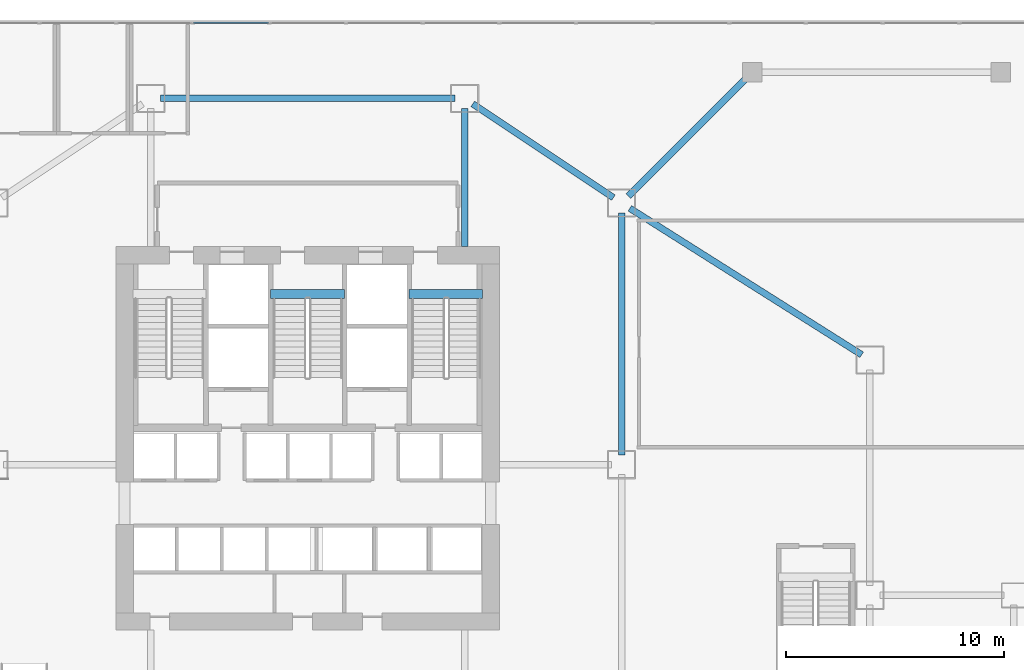
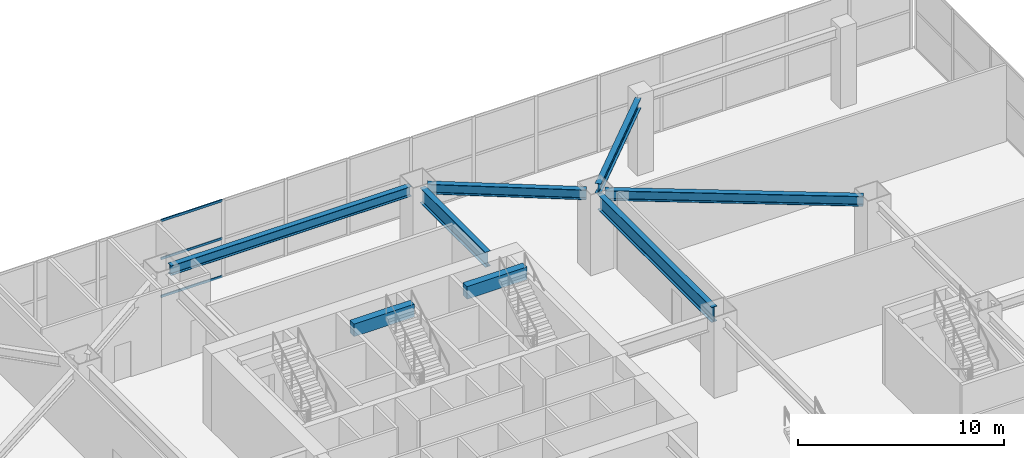
# One storey, part 14 of 31: 8 beams, 3 members, 1 element without a shape of its own.
"""IFC4 building model written with IfcOpenShell, lengths in metres."""

from ifc_helpers import new_model, si_unit, direction, frame, origin, origin_2d, place, context, subcontext, project, spatial, rectangle, hollow_rectangle, i_section, extrude, material, layer, layer_set, material_profile, profile_set, type_object, element, aggregate, save


model = new_model("IFC4")

# Units and contexts
model_context = context("Model", 3, precision=1e-05, world=origin(), true_north=direction((0.0, 1.0)))
body_context = subcontext(model_context, "Body", "Model", "MODEL_VIEW")
ifc_project = project(units=[si_unit("LENGTHUNIT", "METRE"), si_unit("AREAUNIT", "SQUARE_METRE"), si_unit("VOLUMEUNIT", "CUBIC_METRE"), si_unit("PLANEANGLEUNIT", "RADIAN"), si_unit("MASSUNIT", "GRAM", prefix="KILO")], contexts=[model_context])

# Site, building, storey
site_placement = place(None, origin())
site = spatial("IfcSite", under=ifc_project, at=site_placement, CompositionType="ELEMENT")
building_placement = place(site_placement, origin())
building = spatial("IfcBuilding", under=site, at=building_placement, Name="Haolan Belvedere Tower", CompositionType="ELEMENT")
storey_placement = place(building_placement, frame((0.0, 0.0, 5.39990234375)))
storey = spatial("IfcBuildingStorey", under=building, at=storey_placement, Name="L01", CompositionType="ELEMENT", Elevation=5.39990234375)

# Beams
ifc_material_1 = material(Name="Steel Q355B", Category="steel")
ifc_material_profile_1 = material_profile(ifc_material_1, i_section(OverallWidth=0.300048828125, OverallDepth=0.587890625, WebThickness=0.011962890625, FlangeThickness=0.02001953125, FilletRadius=0.028076171875, at=origin_2d()), Name="Steel Q355B")
ifc_profile_set_1 = profile_set([ifc_material_profile_1], Name="Steel Q355B")
beam_type_1 = type_object("IfcBeamType", Name="BM-HM588x300x12x20", PredefinedType="SPANDREL", material=ifc_profile_set_1)
beam_1_placement = place(storey_placement, frame((45.974365234375, 50.150390625, 4.26611328125), z_axis=(0.832050294338, -0.554700196225, 0.0), x_axis=(0.554700196225, 0.832050294338, 0.0)))
element("IfcBeam", 1, at=beam_1_placement, inside=storey, type_object=beam_type_1, Name="L01 spandrel girder MC-T3-N2-MC-T3-NE", PredefinedType="SPANDREL", context=body_context, shape_type="SweptSolid", body=[
    extrude(i_section(OverallWidth=0.300048828125, OverallDepth=0.587890625, WebThickness=0.011962890625, FlangeThickness=0.02001953125, FilletRadius=0.028076171875, at=origin_2d()), origin(), (0.0, 0.0, 1.0), 7.75341796875),
])
beam_2_placement = place(storey_placement, frame((31.64990234375, 50.39990234375, 4.26611328125), z_axis=(1.0, 0.0, 0.0), x_axis=(0.0, 1.0, 0.0)))
element("IfcBeam", 2, at=beam_2_placement, inside=storey, type_object=beam_type_1, Name="L01 spandrel girder MC-T3-N1-MC-T3-N2", PredefinedType="SPANDREL", context=body_context, shape_type="SweptSolid", body=[
    extrude(i_section(OverallWidth=0.300048828125, OverallDepth=0.587890625, WebThickness=0.011962890625, FlangeThickness=0.02001953125, FilletRadius=0.028076171875, at=origin_2d()), origin(), (0.0, 0.0, 1.0), 13.5),
])
beam_3_placement = place(storey_placement, frame((53.180419921875, 45.359619140625, 4.26611328125), z_axis=(0.845497201575, -0.5339798518, 0.0), x_axis=(0.5339798518, 0.845497201575, 0.0)))
element("IfcBeam", 3, at=beam_3_placement, inside=storey, type_object=beam_type_1, Name="L01 spandrel girder MC-T3-NE-MC-T4-NE", PredefinedType="SPANDREL", context=body_context, shape_type="SweptSolid", body=[
    extrude(i_section(OverallWidth=0.300048828125, OverallDepth=0.587890625, WebThickness=0.011962890625, FlangeThickness=0.02001953125, FilletRadius=0.028076171875, at=origin_2d()), origin(), (0.0, 0.0, 1.0), 12.583251953125),
])
beam_4_placement = place(storey_placement, frame((53.1181640625, 45.918212890625, 4.26611328125), z_axis=(0.707106781187, 0.707106781187, 0.0), x_axis=(-0.707106781187, 0.707106781187, 0.0)))
element("IfcBeam", 4, at=beam_4_placement, inside=storey, type_object=beam_type_1, Name="L01 spandrel girder MC-T3-NE-PC-NE-1", PredefinedType="SPANDREL", context=body_context, shape_type="SweptSolid", body=[
    extrude(i_section(OverallWidth=0.300048828125, OverallDepth=0.587890625, WebThickness=0.011962890625, FlangeThickness=0.02001953125, FilletRadius=0.028076171875, at=origin_2d()), origin(), (0.0, 0.0, 1.0), 7.585205078125),
])
ifc_material_profile_2 = material_profile(ifc_material_1, i_section(OverallWidth=0.300048828125, OverallDepth=0.89990234375, WebThickness=0.01611328125, FlangeThickness=0.028076171875, FilletRadius=0.028076171875, at=origin_2d()), Name="Steel Q355B")
ifc_profile_set_2 = profile_set([ifc_material_profile_2], Name="Steel Q355B")
beam_type_2 = type_object("IfcBeamType", Name="BM-HN900x300x16x28", PredefinedType="BEAM", material=ifc_profile_set_2)
beam_5_placement = place(storey_placement, frame((52.800048828125, 34.050048828125, 4.110107421875), z_axis=(0.0, 1.0, 0.0), x_axis=(-1.0, 0.0, 0.0)))
element("IfcBeam", 5, at=beam_5_placement, inside=storey, type_object=beam_type_2, Name="L01 primary girder MC-T3-ME-MC-T3-NE", PredefinedType="BEAM", context=body_context, shape_type="SweptSolid", body=[
    extrude(i_section(OverallWidth=0.300048828125, OverallDepth=0.89990234375, WebThickness=0.01611328125, FlangeThickness=0.028076171875, FilletRadius=0.028076171875, at=origin_2d()), origin(), (0.0, 0.0, 1.0), 11.099853515625),
])
beam_6_placement = place(storey_placement, frame((45.60009765625, 49.949951171875, 4.110107421875), z_axis=(0.0, -1.0, 0.0), x_axis=(1.0, 0.0, 0.0)))
element("IfcBeam", 6, at=beam_6_placement, inside=storey, type_object=beam_type_2, Name="L01 core tie beam from MC-T3-N2", PredefinedType="BEAM", context=body_context, shape_type="SweptSolid", body=[
    extrude(i_section(OverallWidth=0.300048828125, OverallDepth=0.89990234375, WebThickness=0.01611328125, FlangeThickness=0.028076171875, FilletRadius=0.028076171875, at=origin_2d()), origin(), (0.0, 0.0, 1.0), 6.349853515625),
])
ifc_material_2 = material(Name="Concrete C50/60", Category="concrete")
ifc_material_profile_3 = material_profile(ifc_material_2, rectangle(XDim=0.39990234375, YDim=0.75, at=origin_2d()), Name="Concrete C50/60")
ifc_profile_set_3 = profile_set([ifc_material_profile_3], Name="Concrete C50/60")
beam_type_3 = type_object("IfcBeamType", Name="BM-RC400x750", PredefinedType="T_BEAM", material=ifc_profile_set_3)
beam_7_placement = place(storey_placement, frame((36.699951171875, 41.429931640625, 4.425048828125), z_axis=(1.0, 0.0, 0.0), x_axis=(0.0, 1.0, 0.0)))
element("IfcBeam", 7, at=beam_7_placement, inside=storey, type_object=beam_type_3, Name="L02 stair ST3 RC header trimmer beam", PredefinedType="BEAM", context=body_context, shape_type="SweptSolid", body=[
    extrude(rectangle(XDim=0.39990234375, YDim=0.75, at=origin_2d()), origin(), (0.0, 0.0, 1.0), 3.400146484375),
])
beam_8_placement = place(storey_placement, frame((43.06005859375, 41.429931640625, 4.425048828125), z_axis=(1.0, 0.0, 0.0), x_axis=(0.0, 1.0, 0.0)))
element("IfcBeam", 8, at=beam_8_placement, inside=storey, type_object=beam_type_3, Name="L02 stair ST2 RC header trimmer beam", PredefinedType="BEAM", context=body_context, shape_type="SweptSolid", body=[
    extrude(rectangle(XDim=0.39990234375, YDim=0.75, at=origin_2d()), origin(), (0.0, 0.0, 1.0), 3.35986328125),
])

# Curtain wall, members
ifc_material_3 = material(Name="Anodised champagne-silver aluminium 6063-T6 and Low-E glass", Category="aluminium")
ifc_layer = layer(ifc_material_3, 0.179931640625, Name="Anodised champagne-silver aluminium 6063-T6 and Low-E glass")
ifc_layer_set = layer_set([ifc_layer], Name="Anodised champagne-silver aluminium 6063-T6 and Low-E glass")
curtain_wall_type = type_object("IfcCurtainWallType", Name="CW-SYS-01", PredefinedType="NOTDEFINED", material=ifc_layer_set)
curtain_wall_placement = place(storey_placement, origin())
curtain_wall = element("IfcCurtainWall", 9, at=curtain_wall_placement, inside=storey, type_object=curtain_wall_type, Name="L01 CW-SYS-01 ribbon curtain wall 3.1", PredefinedType="NOTDEFINED")
ifc_material_4 = material(Name="Anodised aluminium 6063-T6", Category="aluminium")
ifc_material_profile_4 = material_profile(ifc_material_4, hollow_rectangle(XDim=0.06005859375, YDim=0.139892578125, WallThickness=0.00390625, at=origin_2d()), Name="Anodised aluminium 6063-T6")
ifc_profile_set_4 = profile_set([ifc_material_profile_4], Name="Anodised aluminium 6063-T6")
member_type = type_object("IfcMemberType", Name="CW-SYS-01-TRN", PredefinedType="USERDEFINED", material=ifc_profile_set_4)
member_1_placement = place(storey_placement, frame((36.60888671875, 53.8701171875, 0.030029296875), z_axis=(-1.0, 0.0, 0.0), x_axis=(0.0, -1.0, 0.0)))
member_1 = element("IfcMember", 10, at=member_1_placement, type_object=member_type, Name="CW-01 transom 12.1", ObjectType="TRANSOM", PredefinedType="USERDEFINED", context=body_context, shape_type="SweptSolid", body=[
    extrude(hollow_rectangle(XDim=0.06005859375, YDim=0.139892578125, WallThickness=0.00390625, at=origin_2d()), origin(), (0.0, 0.0, 1.0), 3.4521484375),
])
member_2_placement = place(storey_placement, frame((36.60888671875, 53.8701171875, 2.280029296875), z_axis=(-1.0, 0.0, 0.0), x_axis=(0.0, -1.0, 0.0)))
member_2 = element("IfcMember", 11, at=member_2_placement, type_object=member_type, Name="CW-01 transom 12.2", ObjectType="TRANSOM", PredefinedType="USERDEFINED", context=body_context, shape_type="SweptSolid", body=[
    extrude(hollow_rectangle(XDim=0.06005859375, YDim=0.139892578125, WallThickness=0.00390625, at=origin_2d()), origin(), (0.0, 0.0, 1.0), 3.4521484375),
])
member_3_placement = place(storey_placement, frame((36.60888671875, 53.8701171875, 4.530029296875), z_axis=(-1.0, 0.0, 0.0), x_axis=(0.0, -1.0, 0.0)))
member_3 = element("IfcMember", 12, at=member_3_placement, type_object=member_type, Name="CW-01 transom 12.3", ObjectType="TRANSOM", PredefinedType="USERDEFINED", context=body_context, shape_type="SweptSolid", body=[
    extrude(hollow_rectangle(XDim=0.06005859375, YDim=0.139892578125, WallThickness=0.00390625, at=origin_2d()), origin(), (0.0, 0.0, 1.0), 3.4521484375),
])
aggregate(curtain_wall, [member_1, member_2, member_3])

save(model, "model.ifc")
